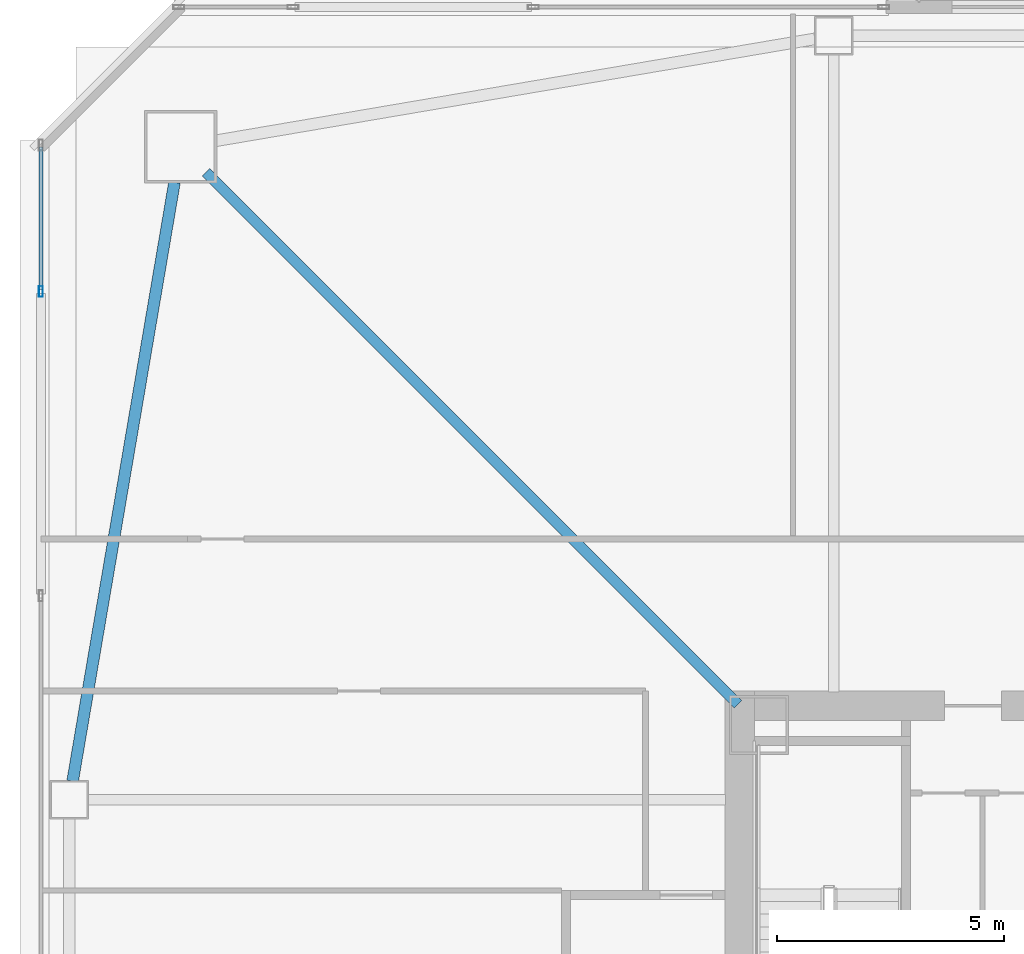
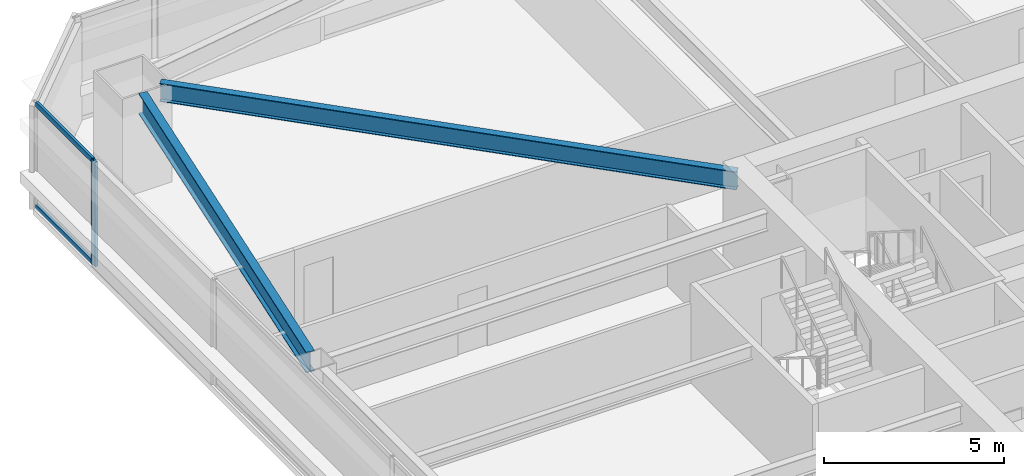
# One storey, part 13 of 48: 3 members, 2 beams, 1 element without a shape of its own.
"""IFC4 building model written with IfcOpenShell, lengths in metres."""

from ifc_helpers import new_model, si_unit, direction, frame, origin, origin_2d, place, context, subcontext, project, spatial, hollow_rectangle, i_section, extrude, material, material_profile, profile_set, type_object, element, aggregate, save


model = new_model("IFC4")

# Units and contexts
model_context = context("Model", 3, precision=1e-05, world=origin(), true_north=direction((0.0, 1.0)))
body_context = subcontext(model_context, "Body", "Model", "MODEL_VIEW")
ifc_project = project(units=[si_unit("LENGTHUNIT", "METRE"), si_unit("AREAUNIT", "SQUARE_METRE"), si_unit("VOLUMEUNIT", "CUBIC_METRE"), si_unit("PLANEANGLEUNIT", "RADIAN"), si_unit("MASSUNIT", "GRAM", prefix="KILO")], contexts=[model_context])

# Site, building, storey
site_placement = place(None, origin())
site = spatial("IfcSite", under=ifc_project, at=site_placement, CompositionType="ELEMENT")
building_placement = place(site_placement, origin())
building = spatial("IfcBuilding", under=site, at=building_placement, Name="Tashvorn Skyway Center", CompositionType="ELEMENT")
storey_placement = place(building_placement, frame((0.0, 0.0, 53.0)))
storey = spatial("IfcBuildingStorey", under=building, at=storey_placement, Name="L13", CompositionType="ELEMENT", Elevation=53.0)

# Beams
ifc_material_1 = material(Name="Steel ASTM A992 Grade 50", Category="steel")
ifc_material_profile_1 = material_profile(ifc_material_1, i_section(OverallWidth=0.22998046875, OverallDepth=0.616943359375, WebThickness=0.01318359375, FlangeThickness=0.022216796875, at=origin_2d()), Name="W24X94")
ifc_profile_set_1 = profile_set([ifc_material_profile_1], Name="Steel ASTM A992 Grade 50")
beam_type_1 = type_object("IfcBeamType", Name="BM-BEAM-W24X94", PredefinedType="BEAM", material=ifc_profile_set_1)
beam_1_placement = place(storey_placement, frame((22.76220703125, 51.23779296875, 3.04150390625), z_axis=(0.707106781187, -0.707106781187, 0.0), x_axis=(0.707106781187, 0.707106781187, 0.0)))
element("IfcBeam", 1, at=beam_1_placement, inside=storey, type_object=beam_type_1, Name="Tower 1 L13 Primary Floor Girder MC-NW", PredefinedType="BEAM", context=body_context, shape_type="SweptSolid", body=[
    extrude(i_section(OverallWidth=0.22998046875, OverallDepth=0.616943359375, WebThickness=0.01318359375, FlangeThickness=0.022216796875, at=origin_2d()), origin(), (0.0, 0.0, 1.0), 16.591064453125),
])
ifc_material_profile_2 = material_profile(ifc_material_1, i_section(OverallWidth=0.256103515625, OverallDepth=0.693115234375, WebThickness=0.014404296875, FlangeThickness=0.023681640625, at=origin_2d()), Name="W27X114")
ifc_profile_set_2 = profile_set([ifc_material_profile_2], Name="Steel ASTM A992 Grade 50")
beam_type_2 = type_object("IfcBeamType", Name="BM-SPANDREL-W27X114", PredefinedType="SPANDREL", material=ifc_profile_set_2)
beam_2_placement = place(storey_placement, frame((22.066650390625, 51.016357421875, 3.00341796875), z_axis=(-0.16771792509, -0.985835025551, 0.0), x_axis=(0.985835025551, -0.16771792509, 0.0)))
element("IfcBeam", 2, at=beam_2_placement, inside=storey, type_object=beam_type_2, Name="Tower 1 L13 Spandrel Beam 10", PredefinedType="SPANDREL", context=body_context, shape_type="SweptSolid", body=[
    extrude(i_section(OverallWidth=0.256103515625, OverallDepth=0.693115234375, WebThickness=0.014404296875, FlangeThickness=0.023681640625, at=origin_2d()), origin(), (0.0, 0.0, 1.0), 13.39208984375),
])

# Curtain wall, members
ifc_material_2 = material(Name="Thermally broken bronze-anodized aluminium 6063-T6", Category="aluminium")
curtain_wall_type = type_object("IfcCurtainWallType", Name="CW-CW-Z1", PredefinedType="NOTDEFINED", material=ifc_material_2)
curtain_wall_placement = place(storey_placement, origin())
curtain_wall = element("IfcCurtainWall", 3, at=curtain_wall_placement, inside=storey, type_object=curtain_wall_type, Name="Tower 1 L13 West Unitised Curtain Wall Glazing Group 3", PredefinedType="NOTDEFINED")
ifc_material_profile_3 = material_profile(ifc_material_2, hollow_rectangle(XDim=0.0849609375, YDim=0.239990234375, WallThickness=0.0048828125, at=origin_2d()), Name="ALU-MULL-85x240")
ifc_profile_set_3 = profile_set([ifc_material_profile_3], Name="Thermally broken bronze-anodized aluminium 6063-T6")
member_type_1 = type_object("IfcMemberType", Name="CWM-CW-Z1", PredefinedType="MULLION", material=ifc_profile_set_3)
member_1_placement = place(storey_placement, frame((19.1201171875, 48.609130859375, 0.0), z_axis=(0.0, 0.0, 1.0), x_axis=(-1.0, 0.0, 0.0)))
member_1 = element("IfcMember", 4, at=member_1_placement, type_object=member_type_1, Name="CW-Z1 mullion 1", PredefinedType="MULLION", context=body_context, shape_type="SweptSolid", body=[
    extrude(hollow_rectangle(XDim=0.0849609375, YDim=0.239990234375, WallThickness=0.0048828125, at=origin_2d()), origin(), (0.0, 0.0, 1.0), 3.550048828125),
])
ifc_material_profile_4 = material_profile(ifc_material_2, hollow_rectangle(XDim=0.0849609375, YDim=0.1650390625, WallThickness=0.0048828125, at=origin_2d()), Name="ALU-TRAN-85x165")
ifc_profile_set_4 = profile_set([ifc_material_profile_4], Name="Thermally broken bronze-anodized aluminium 6063-T6")
member_type_2 = type_object("IfcMemberType", Name="CWT-CW-Z1", PredefinedType="USERDEFINED", material=ifc_profile_set_4)
member_2_placement = place(storey_placement, frame((19.1201171875, 48.651611328125, 0.04248046875), z_axis=(0.0, 1.0, 0.0), x_axis=(-1.0, 0.0, 0.0)))
member_2 = element("IfcMember", 5, at=member_2_placement, type_object=member_type_2, Name="CW-Z1 transom 1.1", ObjectType="TRANSOM", PredefinedType="USERDEFINED", context=body_context, shape_type="SweptSolid", body=[
    extrude(hollow_rectangle(XDim=0.0849609375, YDim=0.1650390625, WallThickness=0.0048828125, at=origin_2d()), origin(), (0.0, 0.0, 1.0), 3.143310546875),
])
member_3_placement = place(storey_placement, frame((19.1201171875, 48.651611328125, 3.507568359375), z_axis=(0.0, 1.0, 0.0), x_axis=(-1.0, 0.0, 0.0)))
member_3 = element("IfcMember", 6, at=member_3_placement, type_object=member_type_2, Name="CW-Z1 transom 1.2", ObjectType="TRANSOM", PredefinedType="USERDEFINED", context=body_context, shape_type="SweptSolid", body=[
    extrude(hollow_rectangle(XDim=0.0849609375, YDim=0.1650390625, WallThickness=0.0048828125, at=origin_2d()), origin(), (0.0, 0.0, 1.0), 3.143310546875),
])
aggregate(curtain_wall, [member_1, member_2, member_3])

save(model, "model.ifc")
